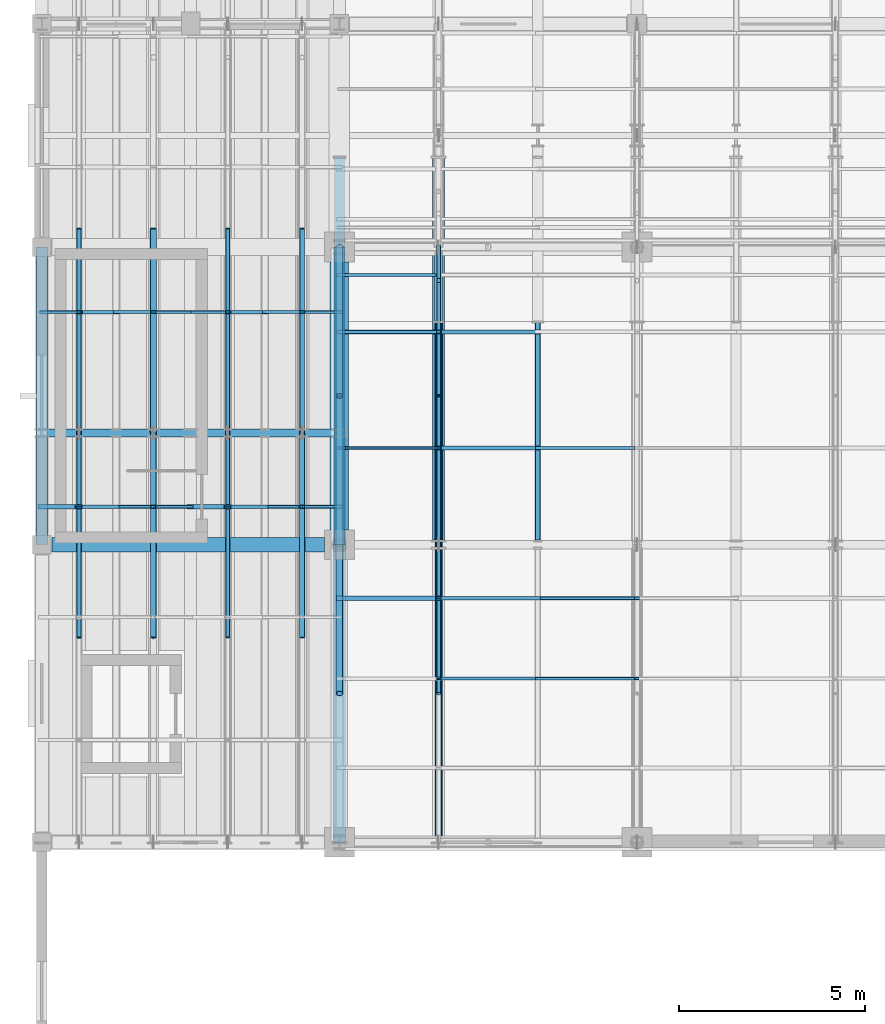
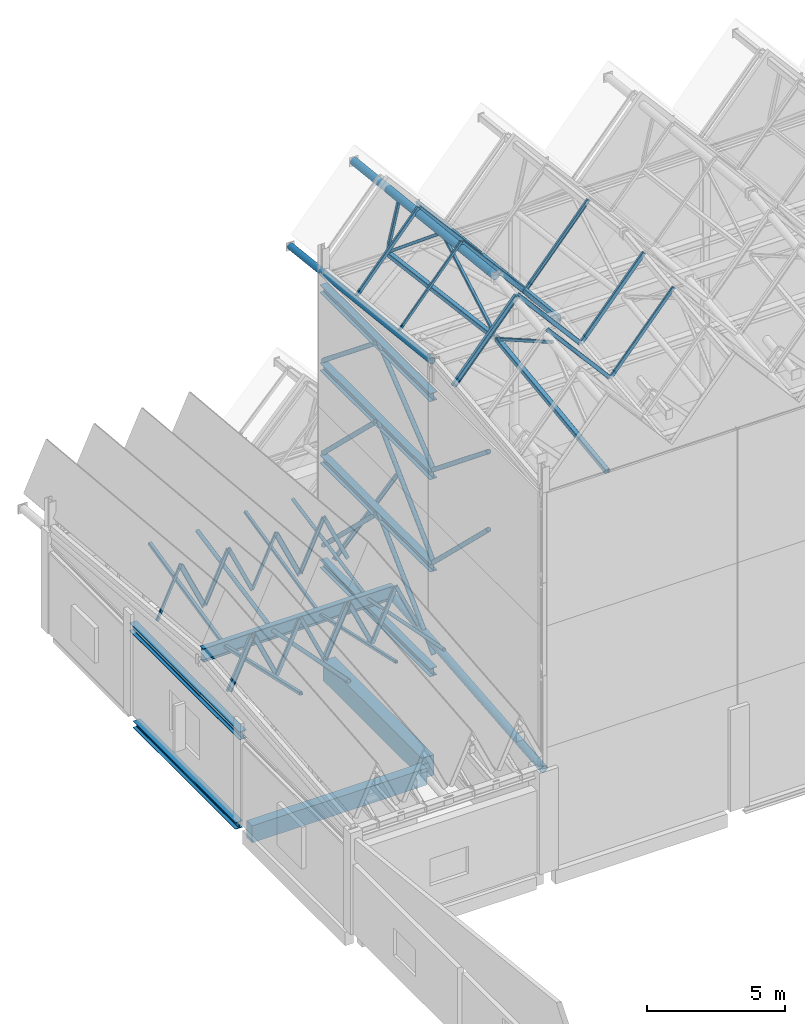
# One storey, part 9 of 48: 49 members, 13 beams.
"""IFC4 building model written with IfcOpenShell, lengths in metres."""

from ifc_helpers import new_model, si_unit, direction, frame, origin, origin_2d, place, context, subcontext, project, spatial, rectangle, hollow_rectangle, hollow_circle, i_section, extrude, material, material_profile, profile_set, type_object, element, save


model = new_model("IFC4")

# Units and contexts
model_context = context("Model", 3, precision=1e-05, world=origin(), true_north=direction((0.0, 1.0)))
body_context = subcontext(model_context, "Body", "Model", "MODEL_VIEW")
ifc_project = project(units=[si_unit("LENGTHUNIT", "METRE"), si_unit("AREAUNIT", "SQUARE_METRE"), si_unit("VOLUMEUNIT", "CUBIC_METRE"), si_unit("PLANEANGLEUNIT", "RADIAN"), si_unit("MASSUNIT", "GRAM", prefix="KILO")], contexts=[model_context])

# Site, building, storey
site_placement = place(None, origin())
site = spatial("IfcSite", under=ifc_project, at=site_placement, CompositionType="ELEMENT")
building_placement = place(site_placement, origin())
building = spatial("IfcBuilding", under=site, at=building_placement, Name="Luwemba Playhouse", CompositionType="ELEMENT")
storey_placement = place(building_placement, frame((0.0, 0.0, 13.800048828125)))
storey = spatial("IfcBuildingStorey", under=building, at=storey_placement, Name="L03", CompositionType="ELEMENT", Elevation=13.800048828125)

# Beams
ifc_material_1 = material(Name="Concrete C40/50", Category="concrete")
ifc_material_profile_1 = material_profile(ifc_material_1, rectangle(XDim=0.39990234375, YDim=0.75, at=origin_2d()))
ifc_profile_set_1 = profile_set([ifc_material_profile_1], Name="Concrete C40/50")
beam_type_1 = type_object("IfcBeamType", Name="BM-RB03", PredefinedType="BEAM", material=ifc_profile_set_1)
beam_1_placement = place(storey_placement, frame((4.27490234375, 76.0, -0.60498046875), z_axis=(1.0, 0.0, 0.0), x_axis=(0.0, 1.0, 0.0)))
element("IfcBeam", 1, at=beam_1_placement, inside=storey, type_object=beam_type_1, Name="L03 grid girder 0834", PredefinedType="BEAM", context=body_context, shape_type="SweptSolid", body=[
    extrude(rectangle(XDim=0.39990234375, YDim=0.75, at=origin_2d()), origin(), (0.0, 0.0, 1.0), 7.3251953125),
])
ifc_material_profile_2 = material_profile(ifc_material_1, rectangle(XDim=0.5, YDim=0.89990234375, at=origin_2d()))
ifc_profile_set_2 = profile_set([ifc_material_profile_2], Name="Concrete C40/50")
beam_type_2 = type_object("IfcBeamType", Name="BM-RB07", PredefinedType="BEAM", material=ifc_profile_set_2)
beam_2_placement = place(storey_placement, frame((12.0, 76.39990234375, -0.679931640625), z_axis=(0.0, 1.0, 0.0), x_axis=(-1.0, 0.0, 0.0)))
element("IfcBeam", 2, at=beam_2_placement, inside=storey, type_object=beam_type_2, Name="L03 transverse girder 0849", PredefinedType="BEAM", context=body_context, shape_type="SweptSolid", body=[
    extrude(rectangle(XDim=0.5, YDim=0.89990234375, at=origin_2d()), origin(), (0.0, 0.0, 1.0), 7.2001953125),
])
ifc_material_2 = material(Name="Steel S355", Category="steel")
ifc_material_profile_3 = material_profile(ifc_material_2, hollow_rectangle(XDim=0.14990234375, YDim=0.25, WallThickness=0.010009765625, InnerFilletRadius=0.014892578125, OuterFilletRadius=0.02490234375, at=origin_2d()))
ifc_profile_set_3 = profile_set([ifc_material_profile_3], Name="Steel S355")
beam_type_3 = type_object("IfcBeamType", Name="BM-RTG1", PredefinedType="USERDEFINED", material=ifc_profile_set_3)
beam_3_placement = place(storey_placement, frame((17.333251953125, 76.110107421875, 17.52294921875), z_axis=(0.0, 0.993769338701, -0.111456275987), x_axis=(-1.0, 0.0, 0.0)))
element("IfcBeam", 3, at=beam_3_placement, inside=storey, type_object=beam_type_3, Name="ROOF TRUSS valley girder 0060", ObjectType="ROOF TRUSS", PredefinedType="USERDEFINED", context=body_context, shape_type="SweptSolid", body=[
    extrude(hollow_rectangle(XDim=0.14990234375, YDim=0.25, WallThickness=0.010009765625, InnerFilletRadius=0.014892578125, OuterFilletRadius=0.02490234375, at=origin_2d()), origin(), (0.0, 0.0, 1.0), 10.354248046875),
])
ifc_material_profile_4 = material_profile(ifc_material_2, hollow_circle(Radius=0.136474609375, WallThickness=0.012451171875, at=origin_2d()))
ifc_profile_set_4 = profile_set([ifc_material_profile_4], Name="Steel S355")
beam_type_4 = type_object("IfcBeamType", Name="BM-RTG3", PredefinedType="USERDEFINED", material=ifc_profile_set_4)
beam_4_placement = place(storey_placement, frame((12.0, 76.110107421875, 17.511474609375), z_axis=(0.0, 0.993769338701, -0.111456275987), x_axis=(-1.0, 0.0, 0.0)))
element("IfcBeam", 4, at=beam_4_placement, inside=storey, type_object=beam_type_4, Name="ROOF TRUSS valley girder 0056", ObjectType="ROOF TRUSS", PredefinedType="USERDEFINED", context=body_context, shape_type="SweptSolid", body=[
    extrude(hollow_circle(Radius=0.136474609375, WallThickness=0.012451171875, at=origin_2d()), origin(), (0.0, 0.0, 1.0), 10.354248046875),
])
ifc_material_profile_5 = material_profile(ifc_material_2, hollow_circle(Radius=0.161865234375, WallThickness=0.01611328125, at=origin_2d()))
ifc_profile_set_5 = profile_set([ifc_material_profile_5], Name="Steel S355")
beam_type_5 = type_object("IfcBeamType", Name="BM-RTG4", PredefinedType="USERDEFINED", material=ifc_profile_set_5)
beam_5_placement = place(storey_placement, frame((14.666748046875, 76.110107421875, 20.34375), z_axis=(0.0, 0.993769338701, -0.111456275987), x_axis=(-1.0, 0.0, 0.0)))
element("IfcBeam", 5, at=beam_5_placement, inside=storey, type_object=beam_type_5, Name="ROOF TRUSS ridge girder 0058", ObjectType="ROOF TRUSS", PredefinedType="USERDEFINED", context=body_context, shape_type="SweptSolid", body=[
    extrude(hollow_circle(Radius=0.161865234375, WallThickness=0.01611328125, at=origin_2d()), origin(), (0.0, 0.0, 1.0), 10.354248046875),
])
beam_6_placement = place(storey_placement, frame((12.0, 68.0, 4.31787109375), z_axis=(0.0, 0.995693600249, 0.0927052017), x_axis=(-1.0, 0.0, 0.0)))
element("IfcBeam", 6, at=beam_6_placement, inside=storey, type_object=beam_type_5, Name="ROOF TRUSS valley girder 0108", ObjectType="ROOF TRUSS", PredefinedType="USERDEFINED", context=body_context, shape_type="SweptSolid", body=[
    extrude(hollow_circle(Radius=0.161865234375, WallThickness=0.01611328125, at=origin_2d()), origin(), (0.0, 0.0, 1.0), 10.93701171875),
])
ifc_material_profile_6 = material_profile(ifc_material_2, i_section(OverallWidth=0.219970703125, OverallDepth=0.60009765625, WebThickness=0.011962890625, FlangeThickness=0.01904296875, FilletRadius=0.02392578125, at=origin_2d()))
ifc_profile_set_6 = profile_set([ifc_material_profile_6], Name="Steel S355")
beam_type_6 = type_object("IfcBeamType", Name="BM-SB08", PredefinedType="BEAM", material=ifc_profile_set_6)
beam_7_placement = place(storey_placement, frame((4.0, 79.0, 5.5439453125), z_axis=(1.0, 0.0, 0.0), x_axis=(0.0, 1.0, 0.0)))
element("IfcBeam", 7, at=beam_7_placement, inside=storey, type_object=beam_type_6, Name="RF-V2-LOW central ridge spine girder 0091", PredefinedType="BEAM", context=body_context, shape_type="SweptSolid", body=[
    extrude(i_section(OverallWidth=0.219970703125, OverallDepth=0.60009765625, WebThickness=0.011962890625, FlangeThickness=0.01904296875, FilletRadius=0.02392578125, at=origin_2d()), origin(), (0.0, 0.0, 1.0), 8.0),
])
ifc_material_profile_7 = material_profile(ifc_material_2, i_section(OverallWidth=0.300048828125, OverallDepth=0.360107421875, WebThickness=0.012451171875, FlangeThickness=0.0224609375, FilletRadius=0.027099609375, at=origin_2d()))
ifc_profile_set_7 = profile_set([ifc_material_profile_7], Name="Steel S355")
beam_type_7 = type_object("IfcBeamType", Name="BM-SB09", PredefinedType="BEAM", material=ifc_profile_set_7)
for number, where, z_axis, x_axis, name in (
    (8, (12.0, 76.0, 8.419921875), (0.0, 1.0, 0.0), (-1.0, 0.0, 0.0), "Fly tower side ring beam 010"),
    (9, (12.0, 76.0, 12.52001953125), (0.0, 1.0, 0.0), (-1.0, 0.0, 0.0), "Fly tower side ring beam 022"),
    (10, (12.0, 76.0, 15.97998046875), (0.0, 1.0, 0.0), (-1.0, 0.0, 0.0), "Fly tower side ring beam 034"),
    (11, (4.0, 76.0, 3.780029296875), (0.0, 1.0, 0.0), (-1.0, 0.0, 0.0), "RF-V2-LOW gable ring beam 0084"),
    (12, (12.0, 76.0, 3.780029296875), (0.0, 1.0, 0.0), (-1.0, 0.0, 0.0), "RF-V2-LOW gable ring beam 0087"),
):
    element("IfcBeam", number, at=place(storey_placement, frame(where, z_axis=z_axis, x_axis=x_axis)), inside=storey, type_object=beam_type_7, Name=name, PredefinedType="BEAM", context=body_context, shape_type="SweptSolid", body=[
        extrude(i_section(OverallWidth=0.300048828125, OverallDepth=0.360107421875, WebThickness=0.012451171875, FlangeThickness=0.0224609375, FilletRadius=0.027099609375, at=origin_2d()), origin(), (0.0, 0.0, 1.0), 8.0),
    ])
ifc_material_profile_8 = material_profile(ifc_material_2, i_section(OverallWidth=0.300048828125, OverallDepth=0.300048828125, WebThickness=0.010986328125, FlangeThickness=0.01904296875, FilletRadius=0.027099609375, at=origin_2d()))
ifc_profile_set_8 = profile_set([ifc_material_profile_8], Name="Steel S355")
beam_type_8 = type_object("IfcBeamType", Name="BM-SSP1", PredefinedType="SPANDREL", material=ifc_profile_set_8)
beam_8_placement = place(storey_placement, frame((4.0, 76.27490234375, -0.380126953125), z_axis=(0.0, 1.0, 0.0), x_axis=(-1.0, 0.0, 0.0)))
element("IfcBeam", 13, at=beam_8_placement, inside=storey, type_object=beam_type_8, Name="L03 transverse girder 0846", PredefinedType="SPANDREL", context=body_context, shape_type="SweptSolid", body=[
    extrude(i_section(OverallWidth=0.300048828125, OverallDepth=0.300048828125, WebThickness=0.010986328125, FlangeThickness=0.01904296875, FilletRadius=0.027099609375, at=origin_2d()), origin(), (0.0, 0.0, 1.0), 7.4501953125),
])

# Members
ifc_material_profile_9 = material_profile(ifc_material_2, hollow_circle(Radius=0.06982421875, WallThickness=0.008056640625, at=origin_2d()))
ifc_profile_set_9 = profile_set([ifc_material_profile_9], Name="Steel S355")
member_type_1 = type_object("IfcMemberType", Name="MEM-MB01", PredefinedType="BRACE", material=ifc_profile_set_9)
for number, where, z_axis, x_axis, name in (
    (14, (11.0, 79.0, 5.5439453125), (0.0, -0.980802752199, 0.195002464804), (1.0, 0.0, 0.0), "ROOF TRUSS web diagonal 0100"),
    (15, (11.0, 79.0, 5.5439453125), (0.0, 0.980802752199, 0.195002464804), (-1.0, 0.0, 0.0), "ROOF TRUSS web diagonal 0101"),
):
    element("IfcMember", number, at=place(storey_placement, frame(where, z_axis=z_axis, x_axis=x_axis)), inside=storey, type_object=member_type_1, Name=name, PredefinedType="BRACE", context=body_context, shape_type="SweptSolid", body=[
        extrude(hollow_circle(Radius=0.06982421875, WallThickness=0.008056640625, at=origin_2d()), origin(), (0.0, 0.0, 1.0), 5.607666015625),
    ])
ifc_material_profile_10 = material_profile(ifc_material_2, hollow_circle(Radius=0.084228515625, WallThickness=0.008056640625, at=origin_2d()))
ifc_profile_set_10 = profile_set([ifc_material_profile_10], Name="Steel S355")
member_type_2 = type_object("IfcMemberType", Name="MEM-MB02", PredefinedType="BRACE", material=ifc_profile_set_10)
for number, where, z_axis, x_axis, name in (
    (16, (7.0, 79.0, 5.5439453125), (0.0, -0.980802752199, 0.195002464804), (1.0, 0.0, 0.0), "ROOF TRUSS web diagonal 0088"),
    (17, (7.0, 79.0, 5.5439453125), (0.0, 0.980802752199, 0.195002464804), (-1.0, 0.0, 0.0), "ROOF TRUSS web diagonal 0089"),
):
    element("IfcMember", number, at=place(storey_placement, frame(where, z_axis=z_axis, x_axis=x_axis)), inside=storey, type_object=member_type_2, Name=name, PredefinedType="BRACE", context=body_context, shape_type="SweptSolid", body=[
        extrude(hollow_circle(Radius=0.084228515625, WallThickness=0.008056640625, at=origin_2d()), origin(), (0.0, 0.0, 1.0), 5.607666015625),
    ])
ifc_material_profile_11 = material_profile(ifc_material_2, hollow_circle(Radius=0.096923828125, WallThickness=0.010009765625, at=origin_2d()))
ifc_profile_set_11 = profile_set([ifc_material_profile_11], Name="Steel S355")
member_type_3 = type_object("IfcMemberType", Name="MEM-MB03", PredefinedType="BRACE", material=ifc_profile_set_11)
for number, where, z_axis, x_axis, name in (
    (18, (12.0, 76.0, 4.550048828125), (0.0, 0.718700426469, 0.695319852293), (-1.0, 0.0, 0.0), "Fly tower side brace 011"),
    (19, (12.0, 84.0, 4.550048828125), (0.0, -0.718700426469, 0.695319852293), (1.0, 0.0, 0.0), "Fly tower side brace 012"),
    (20, (12.0, 76.0, 8.64990234375), (0.0, -0.718678505774, 0.695342509371), (1.0, 0.0, 0.0), "Fly tower side brace 026"),
    (21, (12.0, 76.0, 8.64990234375), (0.0, 0.718678505774, 0.695342509371), (-1.0, 0.0, 0.0), "Fly tower side brace 027"),
    (22, (12.0, 84.0, 8.64990234375), (0.0, -0.718678505774, 0.695342509371), (1.0, 0.0, 0.0), "Fly tower side brace 028"),
):
    element("IfcMember", number, at=place(storey_placement, frame(where, z_axis=z_axis, x_axis=x_axis)), inside=storey, type_object=member_type_3, Name=name, PredefinedType="BRACE", context=body_context, shape_type="SweptSolid", body=[
        extrude(hollow_circle(Radius=0.096923828125, WallThickness=0.010009765625, at=origin_2d()), origin(), (0.0, 0.0, 1.0), 5.565673828125),
    ])
for number, where, z_axis, x_axis, name in (
    (23, (12.0, 76.0, 12.75), (0.0, -0.778016166517, 0.628244255555), (1.0, 0.0, 0.0), "Fly tower side brace 042"),
    (24, (12.0, 76.0, 12.75), (0.0, 0.778016166517, 0.628244255555), (-1.0, 0.0, 0.0), "Fly tower side brace 043"),
    (25, (12.0, 84.0, 12.75), (0.0, -0.778016166517, 0.628244255555), (1.0, 0.0, 0.0), "Fly tower side brace 044"),
):
    element("IfcMember", number, at=place(storey_placement, frame(where, z_axis=z_axis, x_axis=x_axis)), inside=storey, type_object=member_type_3, Name=name, PredefinedType="BRACE", context=body_context, shape_type="SweptSolid", body=[
        extrude(hollow_circle(Radius=0.096923828125, WallThickness=0.010009765625, at=origin_2d()), origin(), (0.0, 0.0, 1.0), 5.141357421875),
    ])
ifc_material_profile_12 = material_profile(ifc_material_2, hollow_rectangle(XDim=0.1201171875, YDim=0.1201171875, WallThickness=0.008056640625, InnerFilletRadius=0.011962890625, OuterFilletRadius=0.02001953125, at=origin_2d()))
ifc_profile_set_12 = profile_set([ifc_material_profile_12], Name="Steel S355")
member_type_4 = type_object("IfcMemberType", Name="MEM-MB06", PredefinedType="BRACE", material=ifc_profile_set_12)
for number, where, z_axis, x_axis, name in (
    (26, (14.666748046875, 76.0, 17.6171875), (0.0, -0.86781582285, 0.49688600062), (1.0, 0.0, 0.0), "ROOF TRUSS web diagonal 0046"),
    (27, (14.666748046875, 76.0, 17.6171875), (0.0, 0.86781582285, 0.49688600062), (-1.0, 0.0, 0.0), "ROOF TRUSS web diagonal 0047"),
):
    element("IfcMember", number, at=place(storey_placement, frame(where, z_axis=z_axis, x_axis=x_axis)), inside=storey, type_object=member_type_4, Name=name, PredefinedType="BRACE", context=body_context, shape_type="SweptSolid", body=[
        extrude(hollow_rectangle(XDim=0.1201171875, YDim=0.1201171875, WallThickness=0.008056640625, InnerFilletRadius=0.011962890625, OuterFilletRadius=0.02001953125, at=origin_2d()), origin(), (0.0, 0.0, 1.0), 4.609375),
    ])
member_1_placement = place(storey_placement, frame((14.666748046875, 84.0, 16.599853515625), z_axis=(0.0, -0.770652379967, 0.637255764392), x_axis=(1.0, 0.0, 0.0)))
element("IfcMember", 28, at=member_1_placement, inside=storey, type_object=member_type_4, Name="ROOF TRUSS web diagonal 0048", PredefinedType="BRACE", context=body_context, shape_type="SweptSolid", body=[
    extrude(hollow_rectangle(XDim=0.1201171875, YDim=0.1201171875, WallThickness=0.008056640625, InnerFilletRadius=0.011962890625, OuterFilletRadius=0.02001953125, at=origin_2d()), origin(), (0.0, 0.0, 1.0), 5.1904296875),
])
member_2_placement = place(storey_placement, frame((14.666748046875, 84.0, 16.599853515625), z_axis=(0.0, -0.29087898527, 0.956759852799), x_axis=(1.0, 0.0, 0.0)))
element("IfcMember", 29, at=member_2_placement, inside=storey, type_object=member_type_4, Name="ROOF TRUSS eave knee strut 0008", PredefinedType="BRACE", context=body_context, shape_type="SweptSolid", body=[
    extrude(hollow_rectangle(XDim=0.1201171875, YDim=0.1201171875, WallThickness=0.008056640625, InnerFilletRadius=0.011962890625, OuterFilletRadius=0.02001953125, at=origin_2d()), origin(), (0.0, 0.0, 1.0), 3.09375),
])
for number, where, z_axis, x_axis, name in (
    (30, (9.0, 79.0, 5.5439453125), (0.0, -0.975561507786, 0.219726522128), (1.0, 0.0, 0.0), "ROOF TRUSS web diagonal 0094"),
    (31, (9.0, 79.0, 5.5439453125), (0.0, 0.975561507786, 0.219726522128), (-1.0, 0.0, 0.0), "ROOF TRUSS web diagonal 0095"),
):
    element("IfcMember", number, at=place(storey_placement, frame(where, z_axis=z_axis, x_axis=x_axis)), inside=storey, type_object=member_type_4, Name=name, PredefinedType="BRACE", context=body_context, shape_type="SweptSolid", body=[
        extrude(hollow_rectangle(XDim=0.1201171875, YDim=0.1201171875, WallThickness=0.008056640625, InnerFilletRadius=0.011962890625, OuterFilletRadius=0.02001953125, at=origin_2d()), origin(), (0.0, 0.0, 1.0), 5.6376953125),
    ])
ifc_material_profile_13 = material_profile(ifc_material_2, hollow_rectangle(XDim=0.139892578125, YDim=0.139892578125, WallThickness=0.008056640625, InnerFilletRadius=0.011962890625, OuterFilletRadius=0.02001953125, at=origin_2d()))
ifc_profile_set_13 = profile_set([ifc_material_profile_13], Name="Steel S355")
member_type_5 = type_object("IfcMemberType", Name="MEM-MB07", PredefinedType="BRACE", material=ifc_profile_set_13)
for number, where, z_axis, x_axis, name in (
    (32, (5.0, 79.0, 5.5439453125), (0.0, -0.975561507786, 0.219726522128), (1.0, 0.0, 0.0), "ROOF TRUSS web diagonal 0082"),
    (33, (5.0, 79.0, 5.5439453125), (0.0, 0.975561507786, 0.219726522128), (-1.0, 0.0, 0.0), "ROOF TRUSS web diagonal 0083"),
):
    element("IfcMember", number, at=place(storey_placement, frame(where, z_axis=z_axis, x_axis=x_axis)), inside=storey, type_object=member_type_5, Name=name, PredefinedType="BRACE", context=body_context, shape_type="SweptSolid", body=[
        extrude(hollow_rectangle(XDim=0.139892578125, YDim=0.139892578125, WallThickness=0.008056640625, InnerFilletRadius=0.011962890625, OuterFilletRadius=0.02001953125, at=origin_2d()), origin(), (0.0, 0.0, 1.0), 5.6376953125),
    ])
ifc_material_profile_14 = material_profile(ifc_material_2, hollow_rectangle(XDim=0.199951171875, YDim=0.199951171875, WallThickness=0.012451171875, InnerFilletRadius=0.018798828125, OuterFilletRadius=0.03125, at=origin_2d()))
ifc_profile_set_14 = profile_set([ifc_material_profile_14], Name="Steel S355")
member_type_6 = type_object("IfcMemberType", Name="MEM-MC04", PredefinedType="CHORD", material=ifc_profile_set_14)
for number, where, z_axis, x_axis, name in (
    (34, (14.666748046875, 68.0, 16.599853515625), (0.0, 0.99201107355, 0.12615082225), (-1.0, 0.0, 0.0), "ROOF TRUSS south bottom chord 0043"),
    (35, (14.666748046875, 76.0, 17.6171875), (0.0, 0.99201107355, -0.12615082225), (-1.0, 0.0, 0.0), "ROOF TRUSS north bottom chord 0044"),
):
    element("IfcMember", number, at=place(storey_placement, frame(where, z_axis=z_axis, x_axis=x_axis)), inside=storey, type_object=member_type_6, Name=name, PredefinedType="CHORD", context=body_context, shape_type="SweptSolid", body=[
        extrude(hollow_rectangle(XDim=0.199951171875, YDim=0.199951171875, WallThickness=0.012451171875, InnerFilletRadius=0.018798828125, OuterFilletRadius=0.03125, at=origin_2d()), origin(), (0.0, 0.0, 1.0), 8.064453125),
    ])
ifc_material_profile_15 = material_profile(ifc_material_2, hollow_rectangle(XDim=0.080078125, YDim=0.1201171875, WallThickness=0.00634765625, InnerFilletRadius=0.009521484375, OuterFilletRadius=0.015869140625, at=origin_2d()))
ifc_profile_set_15 = profile_set([ifc_material_profile_15], Name="Steel S355")
member_type_7 = type_object("IfcMemberType", Name="MEM-MP01", PredefinedType="PURLIN", material=ifc_profile_set_15)
member_3_placement = place(storey_placement, frame((12.0, 78.60009765625, 17.26708984375), z_axis=(0.651808038275, 0.0, 0.758383993265), x_axis=(0.0, 1.0, 0.0)))
element("IfcMember", 36, at=member_3_placement, inside=storey, type_object=member_type_7, Name="Pleated roof purlin 0088", PredefinedType="PURLIN", context=body_context, shape_type="SweptSolid", body=[
    extrude(hollow_rectangle(XDim=0.080078125, YDim=0.1201171875, WallThickness=0.00634765625, InnerFilletRadius=0.009521484375, OuterFilletRadius=0.015869140625, at=origin_2d()), origin(), (0.0, 0.0, 1.0), 4.09130859375),
])
for number, where, z_axis, x_axis, name in (
    (37, (4.0, 82.25, 5.059326171875), (0.417570696245, 0.0, 0.908644437411), (0.0, 1.0, 0.0), "Pleated roof purlin 0160"),
    (38, (8.0, 82.25, 5.059326171875), (0.417570696245, 0.0, 0.908644437411), (0.0, 1.0, 0.0), "Pleated roof purlin 0184"),
):
    element("IfcMember", number, at=place(storey_placement, frame(where, z_axis=z_axis, x_axis=x_axis)), inside=storey, type_object=member_type_7, Name=name, PredefinedType="PURLIN", context=body_context, shape_type="SweptSolid", body=[
        extrude(hollow_rectangle(XDim=0.080078125, YDim=0.1201171875, WallThickness=0.00634765625, InnerFilletRadius=0.009521484375, OuterFilletRadius=0.015869140625, at=origin_2d()), origin(), (0.0, 0.0, 1.0), 2.394775390625),
    ])
ifc_material_profile_16 = material_profile(ifc_material_2, hollow_rectangle(XDim=0.10009765625, YDim=0.14990234375, WallThickness=0.008056640625, InnerFilletRadius=0.011962890625, OuterFilletRadius=0.02001953125, at=origin_2d()))
ifc_profile_set_16 = profile_set([ifc_material_profile_16], Name="Steel S355")
member_type_8 = type_object("IfcMemberType", Name="MEM-MP02", PredefinedType="PURLIN", material=ifc_profile_set_16)
member_4_placement = place(storey_placement, frame((12.0, 81.719970703125, 16.890625), z_axis=(0.651808038275, 0.0, 0.758383993265), x_axis=(0.0, 1.0, 0.0)))
element("IfcMember", 39, at=member_4_placement, inside=storey, type_object=member_type_8, Name="Pleated roof purlin 0089", PredefinedType="PURLIN", context=body_context, shape_type="SweptSolid", body=[
    extrude(hollow_rectangle(XDim=0.10009765625, YDim=0.14990234375, WallThickness=0.008056640625, InnerFilletRadius=0.011962890625, OuterFilletRadius=0.02001953125, at=origin_2d()), origin(), (0.0, 0.0, 1.0), 4.09130859375),
])
for number, where, z_axis, x_axis, name in (
    (40, (7.0, 77.02001953125, 7.31689453125), (0.417570696245, 0.0, -0.908644437411), (0.0, 1.0, 0.0), "Pleated roof purlin 0177"),
    (41, (11.0, 77.02001953125, 7.31689453125), (0.417570696245, 0.0, -0.908644437411), (0.0, 1.0, 0.0), "Pleated roof purlin 0201"),
):
    element("IfcMember", number, at=place(storey_placement, frame(where, z_axis=z_axis, x_axis=x_axis)), inside=storey, type_object=member_type_8, Name=name, PredefinedType="PURLIN", context=body_context, shape_type="SweptSolid", body=[
        extrude(hollow_rectangle(XDim=0.10009765625, YDim=0.14990234375, WallThickness=0.008056640625, InnerFilletRadius=0.011962890625, OuterFilletRadius=0.02001953125, at=origin_2d()), origin(), (0.0, 0.0, 1.0), 2.394775390625),
    ])
ifc_material_profile_17 = material_profile(ifc_material_2, hollow_rectangle(XDim=0.080078125, YDim=0.159912109375, WallThickness=0.00634765625, InnerFilletRadius=0.009521484375, OuterFilletRadius=0.015869140625, at=origin_2d()))
ifc_profile_set_17 = profile_set([ifc_material_profile_17], Name="Steel S355")
member_type_9 = type_object("IfcMemberType", Name="MEM-MP03", PredefinedType="PURLIN", material=ifc_profile_set_17)
member_5_placement = place(storey_placement, frame((17.333251953125, 72.39990234375, 17.135009765625), z_axis=(0.651808038275, 0.0, 0.758383993265), x_axis=(0.0, 1.0, 0.0)))
element("IfcMember", 42, at=member_5_placement, inside=storey, type_object=member_type_9, Name="Pleated roof purlin 0098", PredefinedType="PURLIN", context=body_context, shape_type="SweptSolid", body=[
    extrude(hollow_rectangle(XDim=0.080078125, YDim=0.159912109375, WallThickness=0.00634765625, InnerFilletRadius=0.009521484375, OuterFilletRadius=0.015869140625, at=origin_2d()), origin(), (0.0, 0.0, 1.0), 4.09130859375),
])
for number, where, z_axis, x_axis, name in (
    (43, (7.0, 82.25, 7.21533203125), (0.417570696245, 0.0, -0.908644437411), (0.0, 1.0, 0.0), "Pleated roof purlin 0178"),
    (44, (11.0, 82.25, 7.21533203125), (0.417570696245, 0.0, -0.908644437411), (0.0, 1.0, 0.0), "Pleated roof purlin 0202"),
):
    element("IfcMember", number, at=place(storey_placement, frame(where, z_axis=z_axis, x_axis=x_axis)), inside=storey, type_object=member_type_9, Name=name, PredefinedType="PURLIN", context=body_context, shape_type="SweptSolid", body=[
        extrude(hollow_rectangle(XDim=0.080078125, YDim=0.159912109375, WallThickness=0.00634765625, InnerFilletRadius=0.009521484375, OuterFilletRadius=0.015869140625, at=origin_2d()), origin(), (0.0, 0.0, 1.0), 2.394775390625),
    ])
ifc_material_profile_18 = material_profile(ifc_material_2, hollow_rectangle(XDim=0.10009765625, YDim=0.179931640625, WallThickness=0.008056640625, InnerFilletRadius=0.011962890625, OuterFilletRadius=0.02001953125, at=origin_2d()))
ifc_profile_set_18 = profile_set([ifc_material_profile_18], Name="Steel S355")
member_type_10 = type_object("IfcMemberType", Name="MEM-MP04", PredefinedType="PURLIN", material=ifc_profile_set_18)
member_6_placement = place(storey_placement, frame((17.333251953125, 74.56005859375, 17.355712890625), z_axis=(0.651837536714, 0.0, 0.758358639253), x_axis=(0.0, 1.0, 0.0)))
element("IfcMember", 45, at=member_6_placement, inside=storey, type_object=member_type_10, Name="Pleated roof purlin 0099", PredefinedType="PURLIN", context=body_context, shape_type="SweptSolid", body=[
    extrude(hollow_rectangle(XDim=0.10009765625, YDim=0.179931640625, WallThickness=0.008056640625, InnerFilletRadius=0.011962890625, OuterFilletRadius=0.02001953125, at=origin_2d()), origin(), (0.0, 0.0, 1.0), 4.091064453125),
])
for number, where, z_axis, x_axis, name in (
    (46, (6.0, 77.02001953125, 5.125732421875), (0.417570696245, 0.0, 0.908644437411), (0.0, 1.0, 0.0), "Pleated roof purlin 0171"),
    (47, (10.0, 77.02001953125, 5.125732421875), (0.417570696245, 0.0, 0.908644437411), (0.0, 1.0, 0.0), "Pleated roof purlin 0195"),
):
    element("IfcMember", number, at=place(storey_placement, frame(where, z_axis=z_axis, x_axis=x_axis)), inside=storey, type_object=member_type_10, Name=name, PredefinedType="PURLIN", context=body_context, shape_type="SweptSolid", body=[
        extrude(hollow_rectangle(XDim=0.10009765625, YDim=0.179931640625, WallThickness=0.008056640625, InnerFilletRadius=0.011962890625, OuterFilletRadius=0.02001953125, at=origin_2d()), origin(), (0.0, 0.0, 1.0), 2.394775390625),
    ])
ifc_material_profile_19 = material_profile(ifc_material_2, i_section(OverallWidth=0.08203125, OverallDepth=0.159912109375, WebThickness=0.0048828125, FlangeThickness=0.00732421875, FilletRadius=0.009033203125, at=origin_2d()))
ifc_profile_set_19 = profile_set([ifc_material_profile_19], Name="Steel S355")
member_type_11 = type_object("IfcMemberType", Name="MEM-MP05", PredefinedType="PURLIN", material=ifc_profile_set_19)
member_7_placement = place(storey_placement, frame((14.666748046875, 72.39990234375, 20.236572265625), z_axis=(0.651803214757, 0.0, -0.758388138906), x_axis=(0.0, 1.0, 0.0)))
element("IfcMember", 48, at=member_7_placement, inside=storey, type_object=member_type_11, Name="Pleated roof purlin 0092", PredefinedType="PURLIN", context=body_context, shape_type="SweptSolid", body=[
    extrude(i_section(OverallWidth=0.08203125, OverallDepth=0.159912109375, WebThickness=0.0048828125, FlangeThickness=0.00732421875, FilletRadius=0.009033203125, at=origin_2d()), origin(), (0.0, 0.0, 1.0), 4.091064453125),
])
member_8_placement = place(storey_placement, frame((17.333251953125, 78.60009765625, 17.245849609375), z_axis=(0.651808038275, 0.0, 0.758383993265), x_axis=(0.0, 1.0, 0.0)))
element("IfcMember", 49, at=member_8_placement, inside=storey, type_object=member_type_11, Name="Pleated roof purlin 0100", PredefinedType="PURLIN", context=body_context, shape_type="SweptSolid", body=[
    extrude(i_section(OverallWidth=0.08203125, OverallDepth=0.159912109375, WebThickness=0.0048828125, FlangeThickness=0.00732421875, FilletRadius=0.009033203125, at=origin_2d()), origin(), (0.0, 0.0, 1.0), 4.09130859375),
])
for number, where, z_axis, x_axis, name in (
    (50, (6.0, 82.25, 5.037109375), (0.417570696245, 0.0, 0.908644437411), (0.0, 1.0, 0.0), "Pleated roof purlin 0172"),
    (51, (10.0, 82.25, 5.037109375), (0.417570696245, 0.0, 0.908644437411), (0.0, 1.0, 0.0), "Pleated roof purlin 0196"),
):
    element("IfcMember", number, at=place(storey_placement, frame(where, z_axis=z_axis, x_axis=x_axis)), inside=storey, type_object=member_type_11, Name=name, PredefinedType="PURLIN", context=body_context, shape_type="SweptSolid", body=[
        extrude(i_section(OverallWidth=0.08203125, OverallDepth=0.159912109375, WebThickness=0.0048828125, FlangeThickness=0.00732421875, FilletRadius=0.009033203125, at=origin_2d()), origin(), (0.0, 0.0, 1.0), 2.394775390625),
    ])
ifc_material_profile_20 = material_profile(ifc_material_2, i_section(OverallWidth=0.091064453125, OverallDepth=0.179931640625, WebThickness=0.00537109375, FlangeThickness=0.008056640625, FilletRadius=0.009033203125, at=origin_2d()))
ifc_profile_set_20 = profile_set([ifc_material_profile_20], Name="Steel S355")
member_type_12 = type_object("IfcMemberType", Name="MEM-MP06", PredefinedType="PURLIN", material=ifc_profile_set_20)
member_9_placement = place(storey_placement, frame((14.666748046875, 74.56005859375, 20.463623046875), z_axis=(0.651773715576, 0.0, -0.758413491233), x_axis=(0.0, 1.0, 0.0)))
element("IfcMember", 52, at=member_9_placement, inside=storey, type_object=member_type_12, Name="Pleated roof purlin 0093", PredefinedType="PURLIN", context=body_context, shape_type="SweptSolid", body=[
    extrude(i_section(OverallWidth=0.091064453125, OverallDepth=0.179931640625, WebThickness=0.00537109375, FlangeThickness=0.008056640625, FilletRadius=0.009033203125, at=origin_2d()), origin(), (0.0, 0.0, 1.0), 4.091064453125),
])
for number, where, z_axis, x_axis, name in (
    (53, (5.0, 77.02001953125, 7.311767578125), (0.417570696245, 0.0, -0.908644437411), (0.0, 1.0, 0.0), "Pleated roof purlin 0165"),
    (54, (9.0, 77.02001953125, 7.311767578125), (0.417570696245, 0.0, -0.908644437411), (0.0, 1.0, 0.0), "Pleated roof purlin 0189"),
):
    element("IfcMember", number, at=place(storey_placement, frame(where, z_axis=z_axis, x_axis=x_axis)), inside=storey, type_object=member_type_12, Name=name, PredefinedType="PURLIN", context=body_context, shape_type="SweptSolid", body=[
        extrude(i_section(OverallWidth=0.091064453125, OverallDepth=0.179931640625, WebThickness=0.00537109375, FlangeThickness=0.008056640625, FilletRadius=0.009033203125, at=origin_2d()), origin(), (0.0, 0.0, 1.0), 2.394775390625),
    ])
member_10_placement = place(storey_placement, frame((12.0, 83.25, 4.35693359375), z_axis=(0.68148421333, 0.0, 0.731832813546), x_axis=(0.0, 1.0, 0.0)))
element("IfcMember", 55, at=member_10_placement, inside=storey, type_object=member_type_12, Name="Pleated roof purlin 0205", PredefinedType="PURLIN", context=body_context, shape_type="SweptSolid", body=[
    extrude(i_section(OverallWidth=0.091064453125, OverallDepth=0.179931640625, WebThickness=0.00537109375, FlangeThickness=0.008056640625, FilletRadius=0.009033203125, at=origin_2d()), origin(), (0.0, 0.0, 1.0), 3.9130859375),
])
ifc_material_profile_21 = material_profile(ifc_material_2, i_section(OverallWidth=0.10009765625, OverallDepth=0.199951171875, WebThickness=0.005615234375, FlangeThickness=0.008544921875, FilletRadius=0.011962890625, at=origin_2d()))
ifc_profile_set_21 = profile_set([ifc_material_profile_21], Name="Steel S355")
member_type_13 = type_object("IfcMemberType", Name="MEM-MP07", PredefinedType="PURLIN", material=ifc_profile_set_21)
member_11_placement = place(storey_placement, frame((14.666748046875, 78.60009765625, 20.318359375), z_axis=(0.651773715576, 0.0, -0.758413491233), x_axis=(0.0, 1.0, 0.0)))
element("IfcMember", 56, at=member_11_placement, inside=storey, type_object=member_type_13, Name="Pleated roof purlin 0094", PredefinedType="PURLIN", context=body_context, shape_type="SweptSolid", body=[
    extrude(i_section(OverallWidth=0.10009765625, OverallDepth=0.199951171875, WebThickness=0.005615234375, FlangeThickness=0.008544921875, FilletRadius=0.011962890625, at=origin_2d()), origin(), (0.0, 0.0, 1.0), 4.091064453125),
])
for number, where, z_axis, x_axis, name in (
    (57, (5.0, 82.25, 7.173583984375), (0.417570696245, 0.0, -0.908644437411), (0.0, 1.0, 0.0), "Pleated roof purlin 0166"),
    (58, (9.0, 82.25, 7.173583984375), (0.417570696245, 0.0, -0.908644437411), (0.0, 1.0, 0.0), "Pleated roof purlin 0190"),
):
    element("IfcMember", number, at=place(storey_placement, frame(where, z_axis=z_axis, x_axis=x_axis)), inside=storey, type_object=member_type_13, Name=name, PredefinedType="PURLIN", context=body_context, shape_type="SweptSolid", body=[
        extrude(i_section(OverallWidth=0.10009765625, OverallDepth=0.199951171875, WebThickness=0.005615234375, FlangeThickness=0.008544921875, FilletRadius=0.011962890625, at=origin_2d()), origin(), (0.0, 0.0, 1.0), 2.394775390625),
    ])
ifc_material_profile_22 = material_profile(ifc_material_2, i_section(OverallWidth=0.110107421875, OverallDepth=0.219970703125, WebThickness=0.005859375, FlangeThickness=0.00927734375, FilletRadius=0.011962890625, at=origin_2d()))
ifc_profile_set_22 = profile_set([ifc_material_profile_22], Name="Steel S355")
member_type_14 = type_object("IfcMemberType", Name="MEM-MP08", PredefinedType="PURLIN", material=ifc_profile_set_22)
member_12_placement = place(storey_placement, frame((12.0, 74.56005859375, 17.329833984375), z_axis=(0.651808038275, 0.0, 0.758383993265), x_axis=(0.0, 1.0, 0.0)))
element("IfcMember", 59, at=member_12_placement, inside=storey, type_object=member_type_14, Name="Pleated roof purlin 0087", PredefinedType="PURLIN", context=body_context, shape_type="SweptSolid", body=[
    extrude(i_section(OverallWidth=0.110107421875, OverallDepth=0.219970703125, WebThickness=0.005859375, FlangeThickness=0.00927734375, FilletRadius=0.011962890625, at=origin_2d()), origin(), (0.0, 0.0, 1.0), 4.09130859375),
])
member_13_placement = place(storey_placement, frame((14.666748046875, 81.719970703125, 19.952392578125), z_axis=(0.651803214757, 0.0, -0.758388138906), x_axis=(0.0, 1.0, 0.0)))
element("IfcMember", 60, at=member_13_placement, inside=storey, type_object=member_type_14, Name="Pleated roof purlin 0095", PredefinedType="PURLIN", context=body_context, shape_type="SweptSolid", body=[
    extrude(i_section(OverallWidth=0.110107421875, OverallDepth=0.219970703125, WebThickness=0.005859375, FlangeThickness=0.00927734375, FilletRadius=0.011962890625, at=origin_2d()), origin(), (0.0, 0.0, 1.0), 4.091064453125),
])
for number, where, z_axis, x_axis, name in (
    (61, (4.0, 77.02001953125, 5.094970703125), (0.417570696245, 0.0, 0.908644437411), (0.0, 1.0, 0.0), "Pleated roof purlin 0159"),
    (62, (8.0, 77.02001953125, 5.094970703125), (0.417570696245, 0.0, 0.908644437411), (0.0, 1.0, 0.0), "Pleated roof purlin 0183"),
):
    element("IfcMember", number, at=place(storey_placement, frame(where, z_axis=z_axis, x_axis=x_axis)), inside=storey, type_object=member_type_14, Name=name, PredefinedType="PURLIN", context=body_context, shape_type="SweptSolid", body=[
        extrude(i_section(OverallWidth=0.110107421875, OverallDepth=0.219970703125, WebThickness=0.005859375, FlangeThickness=0.00927734375, FilletRadius=0.011962890625, at=origin_2d()), origin(), (0.0, 0.0, 1.0), 2.394775390625),
    ])

save(model, "model.ifc")
